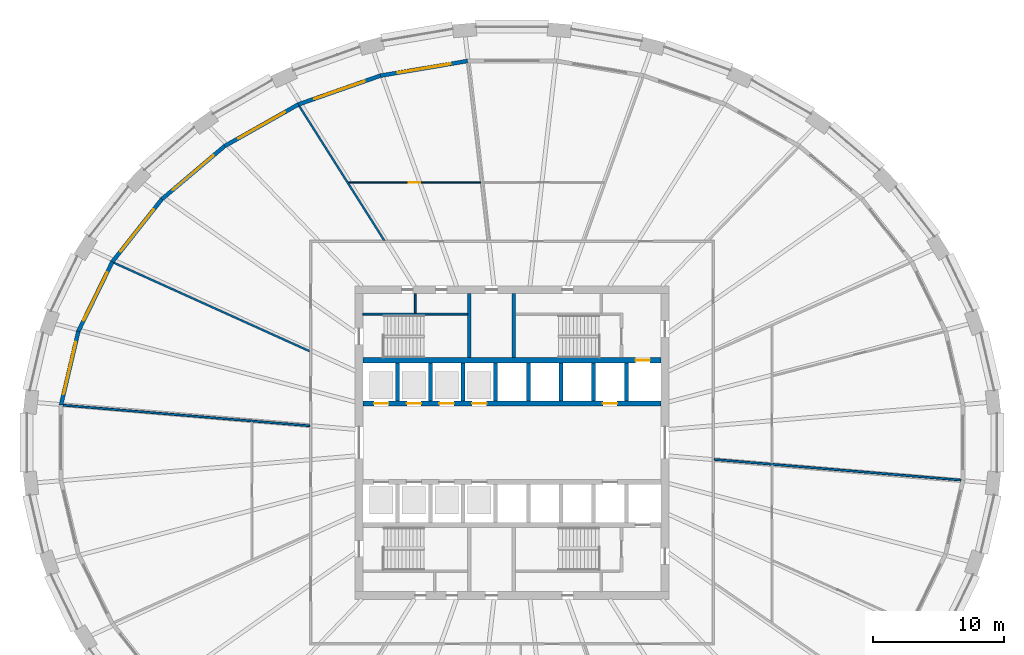
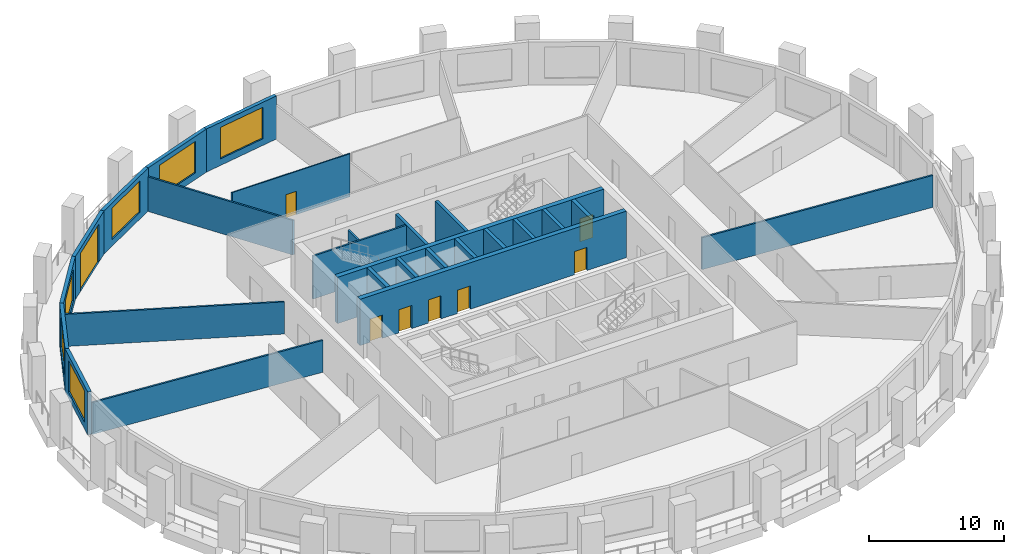
# One storey, part 5 of 10: 26 walls, 8 doors, 6 windows, 14 openings.
"""IFC4 building model written with IfcOpenShell, lengths in metres."""

from ifc_helpers import new_model, si_unit, direction, frame, frame_2d, origin, place, context, subcontext, project, spatial, polyline, rectangle, outline, extrude, material, layer, layer_set, type_object, element, fill, save


model = new_model("IFC4")

# Units and contexts
model_context = context("Model", 3, precision=1e-05, world=origin(), true_north=direction((0.0, 1.0)))
body_context = subcontext(model_context, "Body", "Model", "MODEL_VIEW")
ifc_project = project(units=[si_unit("LENGTHUNIT", "METRE"), si_unit("AREAUNIT", "SQUARE_METRE"), si_unit("VOLUMEUNIT", "CUBIC_METRE"), si_unit("PLANEANGLEUNIT", "RADIAN"), si_unit("MASSUNIT", "GRAM", prefix="KILO")], contexts=[model_context])

# Site, building, storey
site_placement = place(None, origin())
site = spatial("IfcSite", under=ifc_project, at=site_placement, CompositionType="ELEMENT")
building_placement = place(site_placement, origin())
building = spatial("IfcBuilding", under=site, at=building_placement, Name="Halqa Exchange Tower", CompositionType="ELEMENT")
storey_placement = place(building_placement, frame((0.0, 0.0, 57.10009765625)))
storey = spatial("IfcBuildingStorey", under=building, at=storey_placement, Name="L12", CompositionType="ELEMENT", Elevation=57.10009765625)

# Walls
ifc_material_1 = material(Name="Fire-rated gypsum board")
ifc_layer_1 = layer(ifc_material_1, 0.14990234375)
ifc_layer_set_1 = layer_set([ifc_layer_1], Name="Fire-rated gypsum board")
wall_type_1 = type_object("IfcWallType", Name="Fire partition EI 60 150", PredefinedType="PARTITIONING", material=ifc_layer_set_1)
wall_1_placement = place(storey_placement, frame((-34.343017578125, 2.864501953125, 0.0), z_axis=(0.0, 0.0, 1.0), x_axis=(0.996520554602, -0.083347371018, 0.0)))
element("IfcWall", 1, at=wall_1_placement, inside=storey, type_object=wall_type_1, Name="L12-PWL-001", PredefinedType="PARTITIONING", context=body_context, shape_type="SweptSolid", body=[
    extrude(outline(polyline([(0.0, -0.074951171875), (1.818115234375, -0.074951171875), (3.63623046875, -0.074951171875), (5.45458984375, -0.074951171875), (7.272705078125, -0.074951171875), (9.0908203125, -0.074951171875), (10.908935546875, -0.074951171875), (12.72705078125, -0.074951171875), (14.54541015625, -0.074951171875), (14.5498046875, -0.074462890625), (14.5498046875, -0.074951171875), (16.013427734375, -0.074951171875), (17.476806640625, -0.074951171875), (18.940185546875, -0.074951171875), (18.927734375, 0.074951171875), (17.035400390625, 0.074951171875), (15.143310546875, 0.074951171875), (13.2509765625, 0.074951171875), (11.35888671875, 0.074951171875), (9.466552734375, 0.074951171875), (7.574462890625, 0.074951171875), (5.68212890625, 0.074951171875), (3.7900390625, 0.074951171875), (1.897705078125, 0.074951171875), (0.005615234375, 0.074951171875), (0.0, 0.03759765625), (0.0, -0.074951171875)])), origin(), (0.0, 0.0, 1.0), 2.891845703125),
])
wall_2_placement = place(storey_placement, frame((-16.27294921875, 25.74169921875, 0.0), z_axis=(0.0, 0.0, 1.0), x_axis=(0.534654841392, -0.845070529942, 0.0)))
element("IfcWall", 2, at=wall_2_placement, inside=storey, type_object=wall_type_1, Name="L12-PWL-005", PredefinedType="PARTITIONING", context=body_context, shape_type="SweptSolid", body=[
    extrude(outline(polyline([(0.0, -0.074951171875), (1.728759765625, -0.074951171875), (3.45751953125, -0.074951171875), (5.186279296875, -0.074951171875), (6.9150390625, -0.074951171875), (8.64404296875, -0.074951171875), (10.372802734375, -0.074951171875), (12.1015625, -0.074951171875), (12.1962890625, 0.074951171875), (12.1962890625, 0.074951171875), (10.470703125, 0.074951171875), (8.744873046875, 0.074951171875), (7.019287109375, 0.074951171875), (7.017578125, 0.072265625), (7.01318359375, 0.074951171875), (5.26513671875, 0.074951171875), (3.516845703125, 0.074951171875), (1.768798828125, 0.074951171875), (0.020751953125, 0.074951171875), (0.003662109375, 0.00048828125), (0.0, -0.071044921875), (0.0, -0.074951171875)])), origin(), (0.0, 0.0, 1.0), 3.1298828125),
])
wall_3_placement = place(storey_placement, frame((-15.444091796875, 6.97998046875, 0.0), z_axis=(0.0, 0.0, 1.0), x_axis=(-0.911343853748, 0.411645940385, 0.0)))
element("IfcWall", 3, at=wall_3_placement, inside=storey, type_object=wall_type_1, Name="L12-PWL-008", PredefinedType="PARTITIONING", context=body_context, shape_type="SweptSolid", body=[
    extrude(outline(polyline([(0.06787109375, -0.074951171875), (1.88671875, -0.074951171875), (3.705810546875, -0.074951171875), (5.52490234375, -0.074951171875), (7.34375, -0.074951171875), (9.162841796875, -0.074951171875), (10.98193359375, -0.074951171875), (12.80078125, -0.074951171875), (14.619873046875, -0.074951171875), (16.43896484375, -0.074951171875), (16.45654296875, -0.003662109375), (16.458740234375, 0.064208984375), (16.458740234375, 0.074951171875), (14.6298828125, 0.074951171875), (12.80126953125, 0.074951171875), (10.972412109375, 0.074951171875), (9.143798828125, 0.074951171875), (7.31494140625, 0.074951171875), (5.486328125, 0.074951171875), (3.657470703125, 0.074951171875), (1.828857421875, 0.074951171875), (0.0, 0.074951171875), (0.06787109375, -0.074951171875)])), origin(), (0.0, 0.0, 1.0), 2.909912109375),
])
wall_4_placement = place(storey_placement, frame((15.46875, -1.285888671875, 0.0), z_axis=(0.0, 0.0, 1.0), x_axis=(0.996520554602, -0.083347371018, 0.0)))
element("IfcWall", 4, at=wall_4_placement, inside=storey, type_object=wall_type_1, Name="L12-PWL-020", PredefinedType="PARTITIONING", context=body_context, shape_type="SweptSolid", body=[
    extrude(outline(polyline([(0.012451171875, -0.074951171875), (1.505859375, -0.074951171875), (2.9990234375, -0.074951171875), (4.4921875, -0.074951171875), (4.503173828125, -0.073974609375), (4.503173828125, -0.074951171875), (6.30712890625, -0.074951171875), (8.111083984375, -0.074951171875), (9.9150390625, -0.074951171875), (11.718994140625, -0.074951171875), (13.52294921875, -0.074951171875), (15.32666015625, -0.074951171875), (17.130615234375, -0.074951171875), (18.9345703125, -0.074951171875), (18.940185546875, -0.03759765625), (18.940185546875, 0.074951171875), (17.1220703125, 0.074951171875), (15.303955078125, 0.074951171875), (13.485595703125, 0.074951171875), (11.66748046875, 0.074951171875), (9.849365234375, 0.074951171875), (8.03125, 0.074951171875), (6.213134765625, 0.074951171875), (4.394775390625, 0.074951171875), (4.390380859375, 0.074462890625), (4.390380859375, 0.074951171875), (2.9267578125, 0.074951171875), (1.46337890625, 0.074951171875), (0.0, 0.074951171875), (0.012451171875, -0.074951171875)])), origin(), (0.0, 0.0, 1.0), 2.891845703125),
])

# Wall, opening, door
ifc_material_2 = material(Name="Gypsum board")
ifc_layer_2 = layer(ifc_material_2, 0.10009765625)
ifc_layer_set_2 = layer_set([ifc_layer_2], Name="Gypsum board")
wall_type_2 = type_object("IfcWallType", Name="Partition 100 gypsum", PredefinedType="PARTITIONING", material=ifc_layer_set_2)
wall_5_placement = place(storey_placement, frame((-12.51953125, 19.89990234375, 0.0), z_axis=(0.0, 0.0, 1.0), x_axis=(1.0, 0.0, 0.0)))
wall_5 = element("IfcWall", 5, at=wall_5_placement, inside=storey, type_object=wall_type_2, Name="L12-PWL-011", PredefinedType="PARTITIONING", context=body_context, shape_type="SweptSolid", body=[
    extrude(outline(polyline([(10.133544921875, -0.050048828125), (10.133544921875, -0.049072265625), (10.1220703125, 0.050048828125), (8.43505859375, 0.050048828125), (6.748046875, 0.050048828125), (5.06103515625, 0.050048828125), (3.3740234375, 0.050048828125), (1.68701171875, 0.050048828125), (0.0, 0.050048828125), (0.0, 0.049560546875), (0.06298828125, -0.050048828125), (1.741455078125, -0.050048828125), (3.419677734375, -0.050048828125), (5.09814453125, -0.050048828125), (6.776611328125, -0.050048828125), (8.455078125, -0.050048828125), (10.133544921875, -0.050048828125)])), origin(), (0.0, 0.0, 1.0), 3.89990234375),
])
opening_1_placement = place(wall_5_placement, frame((4.619384765625, 0.0, 0.0)))
opening_1 = element("IfcOpeningElement", 6, at=opening_1_placement, cuts=wall_5, Name="Opening 03-15", PredefinedType="OPENING", context=body_context, shape_type="SweptSolid", body=[
    extrude(rectangle(XDim=0.89990234375, YDim=2.10009765625, at=frame_2d((0.449951171875, 1.050048828125))), frame((0.0, 0.06201171875, 0.0), z_axis=(0.0, -1.0, 0.0), x_axis=(1.0, 0.0, 0.0)), (0.0, 0.0, 1.0), 0.1240234375),
])
ifc_material_3 = material(Name="Timber door leaf", Category="wood")
door_type_1 = type_object("IfcDoorType", Name="Door 900 x 2100", OperationType="SINGLE_SWING_LEFT", PredefinedType="DOOR", material=ifc_material_3)
door_1_placement = place(opening_1_placement, frame((0.89990234375, 0.0, 0.0), z_axis=(0.0, 0.0, 1.0), x_axis=(-1.0, 0.0, 0.0)))
door_1 = element("IfcDoor", 7, at=door_1_placement, inside=storey, type_object=door_type_1, Name="L12-IDR-015", OperationType="SINGLE_SWING_LEFT", OverallHeight=2.10009765625, OverallWidth=0.89990234375, PredefinedType="DOOR", context=body_context, shape_type="SweptSolid", body=[
    extrude(rectangle(XDim=0.89990234375, YDim=2.10009765625, at=frame_2d((0.449951171875, 1.050048828125))), frame((0.0, 0.02490234375, 0.0), z_axis=(0.0, -1.0, 0.0), x_axis=(1.0, 0.0, 0.0)), (0.0, 0.0, 1.0), 0.050048828125),
])
fill(opening_1, door_1)

# Walls
ifc_layer_3 = layer(ifc_material_2, 0.14990234375)
ifc_layer_set_3 = layer_set([ifc_layer_3], Name="Gypsum board")
wall_type_3 = type_object("IfcWallType", Name="Penthouse riser wall 150 gypsum", PredefinedType="PARTITIONING", material=ifc_layer_set_3)
wall_6_placement = place(storey_placement, frame((-7.39990234375, 9.89990234375, 0.0), z_axis=(0.0, 0.0, 1.0), x_axis=(0.0, 1.0, 0.0)))
element("IfcWall", 8, at=wall_6_placement, inside=storey, type_object=wall_type_3, Name="Partition W7.400 N", PredefinedType="PARTITIONING", context=body_context, shape_type="SweptSolid", body=[
    extrude(rectangle(XDim=1.5, YDim=0.14990234375, at=frame_2d((0.75, 0.0))), origin(), (0.0, 0.0, 1.0), 3.89990234375),
])
ifc_material_4 = material(Name="Concrete C60/75", Category="concrete")
ifc_layer_4 = layer(ifc_material_4, 0.300048828125)
ifc_layer_set_4 = layer_set([ifc_layer_4], Name="Concrete C60/75")
wall_type_4 = type_object("IfcWallType", Name="RC core wall 300", PredefinedType="SHEAR", material=ifc_layer_set_4)
for number, where, z_axis, x_axis, name in (
    (9, (-8.75, 3.199951171875, 0.0), (0.0, 0.0, 1.0), (0.0, 1.0, 0.0), "Shaft divider N1"),
    (10, (-6.25, 3.199951171875, 0.0), (0.0, 0.0, 1.0), (0.0, 1.0, 0.0), "Shaft divider N2"),
    (11, (-3.75, 3.199951171875, 0.0), (0.0, 0.0, 1.0), (0.0, 1.0, 0.0), "Shaft divider N3"),
    (12, (-1.25, 3.199951171875, 0.0), (0.0, 0.0, 1.0), (0.0, 1.0, 0.0), "Shaft divider N4"),
    (13, (1.25, 3.199951171875, 0.0), (0.0, 0.0, 1.0), (0.0, 1.0, 0.0), "Shaft divider N5"),
    (14, (3.75, 3.199951171875, 0.0), (0.0, 0.0, 1.0), (0.0, 1.0, 0.0), "Shaft divider N6"),
    (15, (6.25, 3.199951171875, 0.0), (0.0, 0.0, 1.0), (0.0, 1.0, 0.0), "Shaft divider N7"),
    (16, (8.75, 3.199951171875, 0.0), (0.0, 0.0, 1.0), (0.0, 1.0, 0.0), "Shaft divider N8"),
):
    element("IfcWall", number, at=place(storey_placement, frame(where, z_axis=z_axis, x_axis=x_axis)), inside=storey, type_object=wall_type_4, Name=name, PredefinedType="SHEAR", context=body_context, shape_type="SweptSolid", body=[
        extrude(rectangle(XDim=2.900146484375, YDim=0.300048828125, at=frame_2d((1.4501953125, 0.0))), origin(), (0.0, 0.0, 1.0), 4.199951171875),
    ])

# Wall, openings, doors
ifc_material_5 = material(Name="Concrete C80/95", Category="concrete")
ifc_layer_5 = layer(ifc_material_5, 0.39990234375)
ifc_layer_set_5 = layer_set([ifc_layer_5], Name="Concrete C80/95")
wall_type_5 = type_object("IfcWallType", Name="RC core wall 400 C80/95", PredefinedType="SHEAR", material=ifc_layer_set_5)
wall_7_placement = place(storey_placement, frame((-11.39990234375, 3.0, 0.0), z_axis=(0.0, 0.0, 1.0), x_axis=(1.0, 0.0, 0.0)))
wall_7 = element("IfcWall", 17, at=wall_7_placement, inside=storey, type_object=wall_type_5, Name="Lift row front wall N", PredefinedType="SHEAR", context=body_context, shape_type="SweptSolid", body=[
    extrude(rectangle(XDim=22.7998046875, YDim=0.39990234375, at=frame_2d((11.39990234375, 0.0))), origin(), (0.0, 0.0, 1.0), 4.199951171875),
])
opening_2_placement = place(wall_7_placement, frame((0.85009765625, 0.0, 0.0)))
opening_2 = element("IfcOpeningElement", 18, at=opening_2_placement, cuts=wall_7, Name="Opening LD-LR1-T03", PredefinedType="OPENING", context=body_context, shape_type="SweptSolid", body=[
    extrude(rectangle(XDim=1.10009765625, YDim=2.10009765625, at=frame_2d((0.550048828125, 1.050048828125))), frame((0.0, 0.2119140625, 0.0), z_axis=(0.0, -1.0, 0.0), x_axis=(1.0, 0.0, 0.0)), (0.0, 0.0, 1.0), 0.423828125),
])
opening_3_placement = place(wall_7_placement, frame((3.35009765625, 0.0, 0.0)))
opening_3 = element("IfcOpeningElement", 19, at=opening_3_placement, cuts=wall_7, Name="Opening LD-LR2-T03", PredefinedType="OPENING", context=body_context, shape_type="SweptSolid", body=[
    extrude(rectangle(XDim=1.10009765625, YDim=2.10009765625, at=frame_2d((0.550048828125, 1.050048828125))), frame((0.0, 0.2119140625, 0.0), z_axis=(0.0, -1.0, 0.0), x_axis=(1.0, 0.0, 0.0)), (0.0, 0.0, 1.0), 0.423828125),
])
opening_4_placement = place(wall_7_placement, frame((5.85009765625, 0.0, 0.0)))
opening_4 = element("IfcOpeningElement", 20, at=opening_4_placement, cuts=wall_7, Name="Opening LD-LR3-T03", PredefinedType="OPENING", context=body_context, shape_type="SweptSolid", body=[
    extrude(rectangle(XDim=1.10009765625, YDim=2.10009765625, at=frame_2d((0.550048828125, 1.050048828125))), frame((0.0, 0.2119140625, 0.0), z_axis=(0.0, -1.0, 0.0), x_axis=(1.0, 0.0, 0.0)), (0.0, 0.0, 1.0), 0.423828125),
])
opening_5_placement = place(wall_7_placement, frame((8.35009765625, 0.0, 0.0)))
opening_5 = element("IfcOpeningElement", 21, at=opening_5_placement, cuts=wall_7, Name="Opening LD-LR4-T03", PredefinedType="OPENING", context=body_context, shape_type="SweptSolid", body=[
    extrude(rectangle(XDim=1.10009765625, YDim=2.10009765625, at=frame_2d((0.550048828125, 1.050048828125))), frame((0.0, 0.2119140625, 0.0), z_axis=(0.0, -1.0, 0.0), x_axis=(1.0, 0.0, 0.0)), (0.0, 0.0, 1.0), 0.423828125),
])
opening_6_placement = place(wall_7_placement, frame((18.35009765625, 0.0, 0.0)))
opening_6 = element("IfcOpeningElement", 22, at=opening_6_placement, cuts=wall_7, Name="Opening LD-SV1-T03", PredefinedType="OPENING", context=body_context, shape_type="SweptSolid", body=[
    extrude(rectangle(XDim=1.10009765625, YDim=2.10009765625, at=frame_2d((0.550048828125, 1.050048828125))), frame((0.0, 0.2119140625, 0.0), z_axis=(0.0, -1.0, 0.0), x_axis=(1.0, 0.0, 0.0)), (0.0, 0.0, 1.0), 0.423828125),
])
ifc_material_6 = material(Name="Stainless steel", Category="steel")
door_type_2 = type_object("IfcDoorType", Name="Lift landing door 1100 x 2100", OperationType="SLIDING_TO_LEFT", PredefinedType="DOOR", material=ifc_material_6)
door_2_placement = place(opening_2_placement, origin())
door_2 = element("IfcDoor", 23, at=door_2_placement, inside=storey, type_object=door_type_2, Name="Lift landing door LR1", OperationType="SLIDING_TO_LEFT", OverallHeight=2.10009765625, OverallWidth=1.10009765625, PredefinedType="DOOR", context=body_context, shape_type="SweptSolid", body=[
    extrude(rectangle(XDim=1.10009765625, YDim=2.10009765625, at=frame_2d((0.550048828125, 1.050048828125))), frame((0.0, 0.02490234375, 0.0), z_axis=(0.0, -1.0, 0.0), x_axis=(1.0, 0.0, 0.0)), (0.0, 0.0, 1.0), 0.050048828125),
])
fill(opening_2, door_2)
door_3_placement = place(opening_3_placement, origin())
door_3 = element("IfcDoor", 24, at=door_3_placement, inside=storey, type_object=door_type_2, Name="Lift landing door LR2", OperationType="SLIDING_TO_LEFT", OverallHeight=2.10009765625, OverallWidth=1.10009765625, PredefinedType="DOOR", context=body_context, shape_type="SweptSolid", body=[
    extrude(rectangle(XDim=1.10009765625, YDim=2.10009765625, at=frame_2d((0.550048828125, 1.050048828125))), frame((0.0, 0.02490234375, 0.0), z_axis=(0.0, -1.0, 0.0), x_axis=(1.0, 0.0, 0.0)), (0.0, 0.0, 1.0), 0.050048828125),
])
fill(opening_3, door_3)
door_4_placement = place(opening_4_placement, origin())
door_4 = element("IfcDoor", 25, at=door_4_placement, inside=storey, type_object=door_type_2, Name="Lift landing door LR3", OperationType="SLIDING_TO_LEFT", OverallHeight=2.10009765625, OverallWidth=1.10009765625, PredefinedType="DOOR", context=body_context, shape_type="SweptSolid", body=[
    extrude(rectangle(XDim=1.10009765625, YDim=2.10009765625, at=frame_2d((0.550048828125, 1.050048828125))), frame((0.0, 0.02490234375, 0.0), z_axis=(0.0, -1.0, 0.0), x_axis=(1.0, 0.0, 0.0)), (0.0, 0.0, 1.0), 0.050048828125),
])
fill(opening_4, door_4)
door_5_placement = place(opening_5_placement, origin())
door_5 = element("IfcDoor", 26, at=door_5_placement, inside=storey, type_object=door_type_2, Name="Lift landing door LR4", OperationType="SLIDING_TO_LEFT", OverallHeight=2.10009765625, OverallWidth=1.10009765625, PredefinedType="DOOR", context=body_context, shape_type="SweptSolid", body=[
    extrude(rectangle(XDim=1.10009765625, YDim=2.10009765625, at=frame_2d((0.550048828125, 1.050048828125))), frame((0.0, 0.02490234375, 0.0), z_axis=(0.0, -1.0, 0.0), x_axis=(1.0, 0.0, 0.0)), (0.0, 0.0, 1.0), 0.050048828125),
])
fill(opening_5, door_5)
door_6_placement = place(opening_6_placement, origin())
door_6 = element("IfcDoor", 27, at=door_6_placement, inside=storey, type_object=door_type_2, Name="Lift landing door SV1", OperationType="SLIDING_TO_LEFT", OverallHeight=2.10009765625, OverallWidth=1.10009765625, PredefinedType="DOOR", context=body_context, shape_type="SweptSolid", body=[
    extrude(rectangle(XDim=1.10009765625, YDim=2.10009765625, at=frame_2d((0.550048828125, 1.050048828125))), frame((0.0, 0.02490234375, 0.0), z_axis=(0.0, -1.0, 0.0), x_axis=(1.0, 0.0, 0.0)), (0.0, 0.0, 1.0), 0.050048828125),
])
fill(opening_6, door_6)

# Wall, opening, door
wall_8_placement = place(storey_placement, frame((-11.39990234375, 6.300048828125, 0.0), z_axis=(0.0, 0.0, 1.0), x_axis=(1.0, 0.0, 0.0)))
wall_8 = element("IfcWall", 28, at=wall_8_placement, inside=storey, type_object=wall_type_5, Name="Lift row back wall N", PredefinedType="SHEAR", context=body_context, shape_type="SweptSolid", body=[
    extrude(rectangle(XDim=22.7998046875, YDim=0.39990234375, at=frame_2d((11.39990234375, 0.0))), origin(), (0.0, 0.0, 1.0), 4.199951171875),
])
opening_7_placement = place(wall_8_placement, frame((20.85009765625, 0.0, 0.0)))
opening_7 = element("IfcOpeningElement", 29, at=opening_7_placement, cuts=wall_8, Name="Opening LD-FF1-T03", PredefinedType="OPENING", context=body_context, shape_type="SweptSolid", body=[
    extrude(rectangle(XDim=1.10009765625, YDim=2.10009765625, at=frame_2d((0.550048828125, 1.050048828125))), frame((0.0, 0.2119140625, 0.0), z_axis=(0.0, -1.0, 0.0), x_axis=(1.0, 0.0, 0.0)), (0.0, 0.0, 1.0), 0.423828125),
])
door_7_placement = place(opening_7_placement, origin())
door_7 = element("IfcDoor", 30, at=door_7_placement, inside=storey, type_object=door_type_2, Name="Lift landing door FF1", OperationType="SLIDING_TO_LEFT", OverallHeight=2.10009765625, OverallWidth=1.10009765625, PredefinedType="DOOR", context=body_context, shape_type="SweptSolid", body=[
    extrude(rectangle(XDim=1.10009765625, YDim=2.10009765625, at=frame_2d((0.550048828125, 1.050048828125))), frame((0.0, 0.02490234375, 0.0), z_axis=(0.0, -1.0, 0.0), x_axis=(1.0, 0.0, 0.0)), (0.0, 0.0, 1.0), 0.050048828125),
])
fill(opening_7, door_7)

# Walls
ifc_material_7 = material(Name="Concrete C30/37", Category="concrete")
ifc_layer_6 = layer(ifc_material_7, 0.14990234375)
ifc_layer_set_6 = layer_set([ifc_layer_6], Name="Concrete C30/37")
wall_type_6 = type_object("IfcWallType", Name="RC stair wall 150 C30/37", PredefinedType="SHEAR", material=ifc_layer_set_6)
wall_9_placement = place(storey_placement, frame((-11.39990234375, 9.824951171875, 0.0), z_axis=(0.0, 0.0, 1.0), x_axis=(1.0, 0.0, 0.0)))
element("IfcWall", 31, at=wall_9_placement, inside=storey, type_object=wall_type_6, Name="Stair ST1 north wall N", PredefinedType="SHEAR", context=body_context, shape_type="SweptSolid", body=[
    extrude(rectangle(XDim=8.0, YDim=0.14990234375, at=frame_2d((4.0, 0.0))), origin(), (0.0, 0.0, 1.0), 3.89990234375),
])
ifc_layer_7 = layer(ifc_material_7, 0.25)
ifc_layer_set_7 = layer_set([ifc_layer_7], Name="Concrete C30/37")
wall_type_7 = type_object("IfcWallType", Name="RC stair wall 250 C30/37", PredefinedType="SHEAR", material=ifc_layer_set_7)
for number, where, z_axis, x_axis, name in (
    (32, (-3.27490234375, 6.5, 0.0), (0.0, 0.0, 1.0), (0.0, 1.0, 0.0), "Stair ST1 east wall N"),
    (33, (0.125, 6.5, 0.0), (0.0, 0.0, 1.0), (0.0, 1.0, 0.0), "Stair ST2 west wall N"),
):
    element("IfcWall", number, at=place(storey_placement, frame(where, z_axis=z_axis, x_axis=x_axis)), inside=storey, type_object=wall_type_7, Name=name, PredefinedType="SHEAR", context=body_context, shape_type="SweptSolid", body=[
        extrude(rectangle(XDim=4.89990234375, YDim=0.25, at=frame_2d((2.449951171875, 0.0))), origin(), (0.0, 0.0, 1.0), 3.89990234375),
    ])

# Wall, opening, window
ifc_material_8 = material(Name="Limestone cladding", Category="masonry")
ifc_layer_8 = layer(ifc_material_8, 0.0400390625)
ifc_material_9 = material(Name="Ventilated cavity")
ifc_layer_9 = layer(ifc_material_9, 0.030029296875, ventilated=True)
ifc_material_10 = material(Name="Mineral wool insulation")
ifc_layer_10 = layer(ifc_material_10, 0.10009765625)
ifc_layer_11 = layer(ifc_material_7, 0.10009765625)
ifc_material_11 = material(Name="Internal plaster")
ifc_layer_12 = layer(ifc_material_11, 0.030029296875)
ifc_layer_set_8 = layer_set([ifc_layer_8, ifc_layer_9, ifc_layer_10, ifc_layer_11, ifc_layer_12], Name="Stone-faced insulated wall 300")
wall_type_8 = type_object("IfcWallType", Name="Stone-faced insulated wall 300", PredefinedType="STANDARD", material=ifc_layer_set_8)
wall_10_placement = place(storey_placement, frame((-3.3955078125, 29.194580078125, 0.0), z_axis=(0.0, 0.0, 1.0), x_axis=(-0.986149614624, -0.165858185139, 0.0)))
wall_10 = element("IfcWall", 34, at=wall_10_placement, inside=storey, type_object=wall_type_8, Name="Glass-line wall 9", PredefinedType="STANDARD", context=body_context, shape_type="SweptSolid", body=[
    extrude(outline(polyline([(-0.012451171875, -0.14990234375), (6.767578125, -0.14990234375), (6.7421875, 0.14990234375), (0.012451171875, 0.14990234375), (-0.012451171875, -0.14990234375)])), origin(), (0.0, 0.0, 1.0), 3.89990234375),
])
opening_8_placement = place(wall_10_placement, frame((1.327392578125, 0.0, 0.60009765625)))
opening_8 = element("IfcOpeningElement", 35, at=opening_8_placement, cuts=wall_10, Name="Opening W-F1-09", PredefinedType="OPENING", context=body_context, shape_type="SweptSolid", body=[
    extrude(rectangle(XDim=4.10009765625, YDim=2.85009765625, at=frame_2d((2.050048828125, 1.425048828125))), frame((0.0, 0.162109375, 0.0), z_axis=(0.0, -1.0, 0.0), x_axis=(1.0, 0.0, 0.0)), (0.0, 0.0, 1.0), 0.323974609375),
])
ifc_material_12 = material(Name="Clear low-emissivity glass in aluminium frame", Category="aluminium")
window_type = type_object("IfcWindowType", Name="Fixed clear glazed window 4100 x 2850", PartitioningType="TRIPLE_PANEL_VERTICAL", PredefinedType="WINDOW", material=ifc_material_12)
window_1_placement = place(opening_8_placement, origin())
window_1 = element("IfcWindow", 36, at=window_1_placement, inside=storey, type_object=window_type, Name="Window 1", OverallHeight=2.85009765625, OverallWidth=4.10009765625, PartitioningType="TRIPLE_PANEL_VERTICAL", PredefinedType="WINDOW", context=body_context, shape_type="SweptSolid", body=[
    extrude(rectangle(XDim=4.10009765625, YDim=2.85009765625, at=frame_2d((2.050048828125, 1.425048828125))), frame((0.0, 0.030029296875, 0.0), z_axis=(0.0, -1.0, 0.0), x_axis=(1.0, 0.0, 0.0)), (0.0, 0.0, 1.0), 0.06005859375),
])
fill(opening_8, window_1)

wall_11_placement = place(storey_placement, frame((-10.056884765625, 28.07421875, 0.0), z_axis=(0.0, 0.0, 1.0), x_axis=(-0.943790794479, -0.330543395421, 0.0)))
wall_11 = element("IfcWall", 37, at=wall_11_placement, inside=storey, type_object=wall_type_8, Name="Glass-line wall 10", PredefinedType="STANDARD", context=body_context, shape_type="SweptSolid", body=[
    extrude(outline(polyline([(-0.0126953125, -0.14990234375), (6.6630859375, -0.14990234375), (6.63623046875, 0.14990234375), (0.0126953125, 0.14990234375), (-0.0126953125, -0.14990234375)])), origin(), (0.0, 0.0, 1.0), 3.89990234375),
])
opening_9_placement = place(wall_11_placement, frame((1.27490234375, 0.0, 0.60009765625)))
opening_9 = element("IfcOpeningElement", 38, at=opening_9_placement, cuts=wall_11, Name="Opening W-F1-10", PredefinedType="OPENING", context=body_context, shape_type="SweptSolid", body=[
    extrude(rectangle(XDim=4.10009765625, YDim=2.85009765625, at=frame_2d((2.050048828125, 1.425048828125))), frame((0.0, 0.162109375, 0.0), z_axis=(0.0, -1.0, 0.0), x_axis=(1.0, 0.0, 0.0)), (0.0, 0.0, 1.0), 0.323974609375),
])
window_2_placement = place(opening_9_placement, origin())
window_2 = element("IfcWindow", 39, at=window_2_placement, inside=storey, type_object=window_type, Name="Window 1", OverallHeight=2.85009765625, OverallWidth=4.10009765625, PartitioningType="TRIPLE_PANEL_VERTICAL", PredefinedType="WINDOW", context=body_context, shape_type="SweptSolid", body=[
    extrude(rectangle(XDim=4.10009765625, YDim=2.85009765625, at=frame_2d((2.050048828125, 1.425048828125))), frame((0.0, 0.030029296875, 0.0), z_axis=(0.0, -1.0, 0.0), x_axis=(1.0, 0.0, 0.0)), (0.0, 0.0, 1.0), 0.06005859375),
])
fill(opening_9, window_2)

wall_12_placement = place(storey_placement, frame((-16.332763671875, 25.876220703125, 0.0), z_axis=(0.0, 0.0, 1.0), x_axis=(-0.870647609977, -0.491907246584, 0.0)))
wall_12 = element("IfcWall", 40, at=wall_12_placement, inside=storey, type_object=wall_type_8, Name="Glass-line wall 11", PredefinedType="STANDARD", context=body_context, shape_type="SweptSolid", body=[
    extrude(outline(polyline([(-0.013427734375, -0.14990234375), (6.50341796875, -0.14990234375), (6.47509765625, 0.14990234375), (0.013427734375, 0.14990234375), (-0.013427734375, -0.14990234375)])), origin(), (0.0, 0.0, 1.0), 3.89990234375),
])
opening_10_placement = place(wall_12_placement, frame((1.194580078125, 0.0, 0.60009765625)))
opening_10 = element("IfcOpeningElement", 41, at=opening_10_placement, cuts=wall_12, Name="Opening W-F1-11", PredefinedType="OPENING", context=body_context, shape_type="SweptSolid", body=[
    extrude(rectangle(XDim=4.10009765625, YDim=2.85009765625, at=frame_2d((2.050048828125, 1.425048828125))), frame((0.0, 0.162109375, 0.0), z_axis=(0.0, -1.0, 0.0), x_axis=(1.0, 0.0, 0.0)), (0.0, 0.0, 1.0), 0.323974609375),
])
window_3_placement = place(opening_10_placement, origin())
window_3 = element("IfcWindow", 42, at=window_3_placement, inside=storey, type_object=window_type, Name="Window 1", OverallHeight=2.85009765625, OverallWidth=4.10009765625, PartitioningType="TRIPLE_PANEL_VERTICAL", PredefinedType="WINDOW", context=body_context, shape_type="SweptSolid", body=[
    extrude(rectangle(XDim=4.10009765625, YDim=2.85009765625, at=frame_2d((2.050048828125, 1.425048828125))), frame((0.0, 0.030029296875, 0.0), z_axis=(0.0, -1.0, 0.0), x_axis=(1.0, 0.0, 0.0)), (0.0, 0.0, 1.0), 0.06005859375),
])
fill(opening_10, window_3)

# Wall, opening, door
wall_13_placement = place(storey_placement, frame((-21.982666015625, 22.68408203125, 0.0), z_axis=(0.0, 0.0, 1.0), x_axis=(-0.763614259808, -0.645672720671, 0.0)))
wall_13 = element("IfcWall", 43, at=wall_13_placement, inside=storey, type_object=wall_type_8, Name="Glass-line wall 12", PredefinedType="STANDARD", context=body_context, shape_type="SweptSolid", body=[
    extrude(outline(polyline([(-0.01416015625, -0.14990234375), (6.31005859375, -0.14990234375), (6.27978515625, 0.14990234375), (0.01416015625, 0.14990234375), (-0.01416015625, -0.14990234375)])), origin(), (0.0, 0.0, 1.0), 3.89990234375),
])
opening_11_placement = place(wall_13_placement, frame((1.097412109375, 0.0, 0.0)))
opening_11 = element("IfcOpeningElement", 44, at=opening_11_placement, cuts=wall_13, Name="Opening LG-F1-03", PredefinedType="OPENING", context=body_context, shape_type="SweptSolid", body=[
    extrude(rectangle(XDim=4.10009765625, YDim=3.449951171875, at=frame_2d((2.050048828125, 1.72509765625))), frame((0.0, 0.162109375, 0.0), z_axis=(0.0, -1.0, 0.0), x_axis=(1.0, 0.0, 0.0)), (0.0, 0.0, 1.0), 0.323974609375),
])
door_type_3 = type_object("IfcDoorType", Name="Glazed sliding loggia door 4100 x 3450", OperationType="DOUBLE_DOOR_SLIDING", PredefinedType="DOOR", material=ifc_material_12)
door_8_placement = place(opening_11_placement, origin())
door_8 = element("IfcDoor", 45, at=door_8_placement, inside=storey, type_object=door_type_3, Name="Loggia door 3", OperationType="DOUBLE_DOOR_SLIDING", OverallHeight=3.449951171875, OverallWidth=4.10009765625, PredefinedType="DOOR", context=body_context, shape_type="SweptSolid", body=[
    extrude(rectangle(XDim=4.10009765625, YDim=3.449951171875, at=frame_2d((2.050048828125, 1.72509765625))), frame((0.0, 0.02490234375, 0.0), z_axis=(0.0, -1.0, 0.0), x_axis=(1.0, 0.0, 0.0)), (0.0, 0.0, 1.0), 0.050048828125),
])
fill(opening_11, door_8)

# Wall, opening, window
wall_14_placement = place(storey_placement, frame((-26.78955078125, 18.61962890625, 0.0), z_axis=(0.0, 0.0, 1.0), x_axis=(-0.619993638342, -0.78460683684, 0.0)))
wall_14 = element("IfcWall", 46, at=wall_14_placement, inside=storey, type_object=wall_type_8, Name="Glass-line wall 13", PredefinedType="STANDARD", context=body_context, shape_type="SweptSolid", body=[
    extrude(outline(polyline([(-0.01513671875, -0.14990234375), (6.1103515625, -0.14990234375), (6.078125, 0.14990234375), (0.01513671875, 0.14990234375), (-0.01513671875, -0.14990234375)])), origin(), (0.0, 0.0, 1.0), 3.89990234375),
])
opening_12_placement = place(wall_14_placement, frame((0.9970703125, 0.0, 0.60009765625)))
opening_12 = element("IfcOpeningElement", 47, at=opening_12_placement, cuts=wall_14, Name="Opening W-F1-13", PredefinedType="OPENING", context=body_context, shape_type="SweptSolid", body=[
    extrude(rectangle(XDim=4.10009765625, YDim=2.85009765625, at=frame_2d((2.050048828125, 1.425048828125))), frame((0.0, 0.162109375, 0.0), z_axis=(0.0, -1.0, 0.0), x_axis=(1.0, 0.0, 0.0)), (0.0, 0.0, 1.0), 0.323974609375),
])
window_4_placement = place(opening_12_placement, origin())
window_4 = element("IfcWindow", 48, at=window_4_placement, inside=storey, type_object=window_type, Name="Window 1", OverallHeight=2.85009765625, OverallWidth=4.10009765625, PartitioningType="TRIPLE_PANEL_VERTICAL", PredefinedType="WINDOW", context=body_context, shape_type="SweptSolid", body=[
    extrude(rectangle(XDim=4.10009765625, YDim=2.85009765625, at=frame_2d((2.050048828125, 1.425048828125))), frame((0.0, 0.030029296875, 0.0), z_axis=(0.0, -1.0, 0.0), x_axis=(1.0, 0.0, 0.0)), (0.0, 0.0, 1.0), 0.06005859375),
])
fill(opening_12, window_4)

wall_15_placement = place(storey_placement, frame((-30.56787109375, 13.838134765625, 0.0), z_axis=(0.0, 0.0, 1.0), x_axis=(-0.439906146647, -0.898043752911, 0.0)))
wall_15 = element("IfcWall", 49, at=wall_15_placement, inside=storey, type_object=wall_type_8, Name="Glass-line wall 14", PredefinedType="STANDARD", context=body_context, shape_type="SweptSolid", body=[
    extrude(outline(polyline([(-0.01611328125, -0.14990234375), (5.935791015625, -0.14990234375), (5.902099609375, 0.14990234375), (0.01611328125, 0.14990234375), (-0.01611328125, -0.14990234375)])), origin(), (0.0, 0.0, 1.0), 3.89990234375),
])
opening_13_placement = place(wall_15_placement, frame((0.909423828125, 0.0, 0.60009765625)))
opening_13 = element("IfcOpeningElement", 50, at=opening_13_placement, cuts=wall_15, Name="Opening W-F1-14", PredefinedType="OPENING", context=body_context, shape_type="SweptSolid", body=[
    extrude(rectangle(XDim=4.10009765625, YDim=2.85009765625, at=frame_2d((2.050048828125, 1.425048828125))), frame((0.0, 0.162109375, 0.0), z_axis=(0.0, -1.0, 0.0), x_axis=(1.0, 0.0, 0.0)), (0.0, 0.0, 1.0), 0.323974609375),
])
window_5_placement = place(opening_13_placement, origin())
window_5 = element("IfcWindow", 51, at=window_5_placement, inside=storey, type_object=window_type, Name="Window 1", OverallHeight=2.85009765625, OverallWidth=4.10009765625, PartitioningType="TRIPLE_PANEL_VERTICAL", PredefinedType="WINDOW", context=body_context, shape_type="SweptSolid", body=[
    extrude(rectangle(XDim=4.10009765625, YDim=2.85009765625, at=frame_2d((2.050048828125, 1.425048828125))), frame((0.0, 0.030029296875, 0.0), z_axis=(0.0, -1.0, 0.0), x_axis=(1.0, 0.0, 0.0)), (0.0, 0.0, 1.0), 0.06005859375),
])
fill(opening_13, window_5)

wall_16_placement = place(storey_placement, frame((-33.171630859375, 8.522705078125, 0.0), z_axis=(0.0, 0.0, 1.0), x_axis=(-0.228990053972, -0.973428762253, 0.0)))
wall_16 = element("IfcWall", 52, at=wall_16_placement, inside=storey, type_object=wall_type_8, Name="Glass-line wall 15", PredefinedType="STANDARD", context=body_context, shape_type="SweptSolid", body=[
    extrude(outline(polyline([(-0.016845703125, -0.14990234375), (5.816162109375, -0.14990234375), (5.781494140625, 0.14990234375), (0.016845703125, 0.14990234375), (-0.016845703125, -0.14990234375)])), origin(), (0.0, 0.0, 1.0), 3.89990234375),
])
opening_14_placement = place(wall_16_placement, frame((0.849365234375, 0.0, 0.60009765625)))
opening_14 = element("IfcOpeningElement", 53, at=opening_14_placement, cuts=wall_16, Name="Opening W-F1-15", PredefinedType="OPENING", context=body_context, shape_type="SweptSolid", body=[
    extrude(rectangle(XDim=4.10009765625, YDim=2.85009765625, at=frame_2d((2.050048828125, 1.425048828125))), frame((0.0, 0.162109375, 0.0), z_axis=(0.0, -1.0, 0.0), x_axis=(1.0, 0.0, 0.0)), (0.0, 0.0, 1.0), 0.323974609375),
])
window_6_placement = place(opening_14_placement, origin())
window_6 = element("IfcWindow", 54, at=window_6_placement, inside=storey, type_object=window_type, Name="Window 1", OverallHeight=2.85009765625, OverallWidth=4.10009765625, PartitioningType="TRIPLE_PANEL_VERTICAL", PredefinedType="WINDOW", context=body_context, shape_type="SweptSolid", body=[
    extrude(rectangle(XDim=4.10009765625, YDim=2.85009765625, at=frame_2d((2.050048828125, 1.425048828125))), frame((0.0, 0.030029296875, 0.0), z_axis=(0.0, -1.0, 0.0), x_axis=(1.0, 0.0, 0.0)), (0.0, 0.0, 1.0), 0.06005859375),
])
fill(opening_14, window_6)

save(model, "model.ifc")
